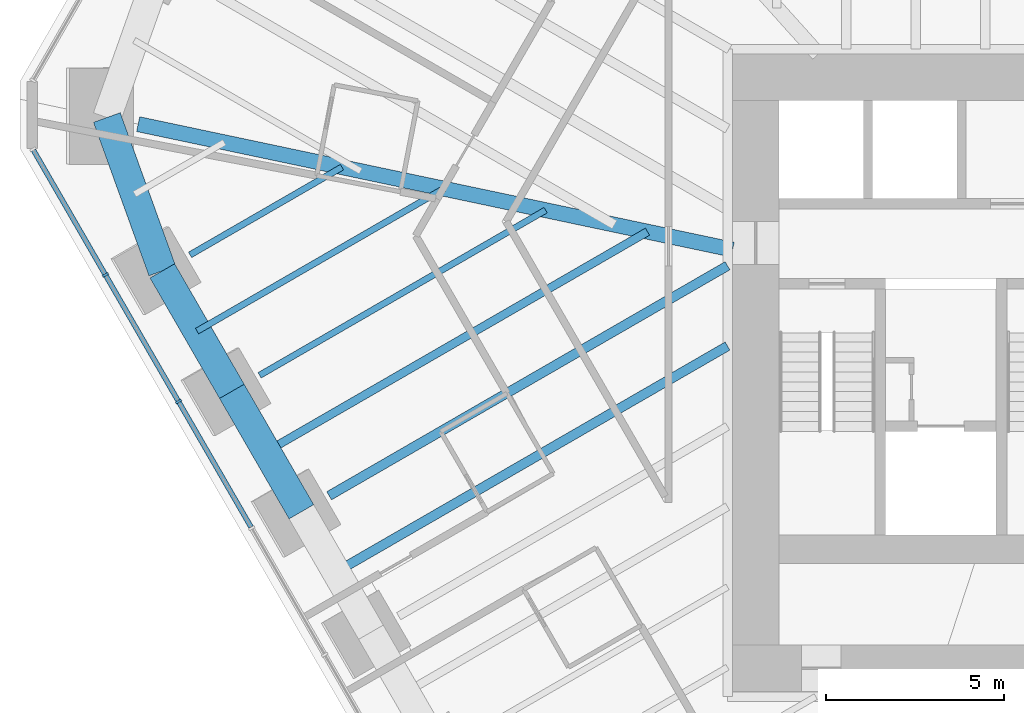
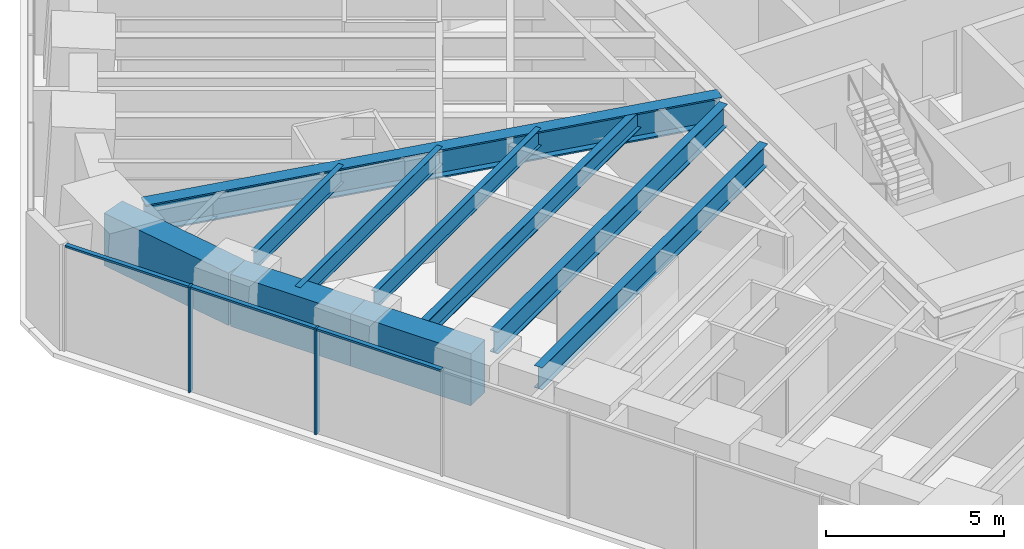
# One storey, part 3 of 17: 10 beams, 5 members, 1 element without a shape of its own.
"""IFC4 building model written with IfcOpenShell, lengths in metres."""

from ifc_helpers import new_model, si_unit, direction, frame, origin, origin_2d, place, context, subcontext, project, spatial, rectangle, i_section, extrude, material, material_profile, profile_set, type_object, element, aggregate, save


model = new_model("IFC4")

# Units and contexts
model_context = context("Model", 3, precision=1e-05, world=origin(), true_north=direction((0.0, 1.0)))
body_context = subcontext(model_context, "Body", "Model", "MODEL_VIEW")
ifc_project = project(units=[si_unit("LENGTHUNIT", "METRE"), si_unit("AREAUNIT", "SQUARE_METRE"), si_unit("VOLUMEUNIT", "CUBIC_METRE"), si_unit("PLANEANGLEUNIT", "RADIAN"), si_unit("MASSUNIT", "GRAM", prefix="KILO")], contexts=[model_context])

# Site, building, storey
site_placement = place(None, origin())
site = spatial("IfcSite", under=ifc_project, at=site_placement, CompositionType="ELEMENT")
building_placement = place(site_placement, origin())
building = spatial("IfcBuilding", under=site, at=building_placement, Name="Sandreach Pilgrim Tower", CompositionType="ELEMENT")
storey_placement = place(building_placement, frame((0.0, 0.0, 150.0)))
storey = spatial("IfcBuildingStorey", under=building, at=storey_placement, Name="L37", CompositionType="ELEMENT", Elevation=150.0)

# Curtain wall, members
ifc_material_1 = material(Name="Aluminium framed curtain wall", Category="aluminium")
curtain_wall_type = type_object("IfcCurtainWallType", Name="Hotel tower curtain wall", PredefinedType="NOTDEFINED", material=ifc_material_1)
curtain_wall_placement = place(storey_placement, origin())
curtain_wall = element("IfcCurtainWall", 1, at=curtain_wall_placement, inside=storey, type_object=curtain_wall_type, Name="CW-2 L37 SW", PredefinedType="NOTDEFINED")
ifc_material_2 = material(Name="Aluminium extrusion", Category="aluminium")
ifc_material_profile_1 = material_profile(ifc_material_2, rectangle(XDim=0.06494140625, YDim=0.179931640625, at=origin_2d()), Name="CW-2M 65X180")
ifc_profile_set_1 = profile_set([ifc_material_profile_1], Name="Aluminium extrusion")
member_type_1 = type_object("IfcMemberType", Name="CW-2 mullion", PredefinedType="MULLION", material=ifc_profile_set_1)
member_1_placement = place(storey_placement, frame((-24.614013671875, -2.35498046875, 0.0), z_axis=(0.0, 0.0, 1.0), x_axis=(-0.5, 0.866025403784, 0.0)))
member_1 = element("IfcMember", 2, at=member_1_placement, type_object=member_type_1, Name="CW-2 mullion 8", PredefinedType="MULLION", context=body_context, shape_type="SweptSolid", body=[
    extrude(rectangle(XDim=0.06494140625, YDim=0.179931640625, at=origin_2d()), origin(), (0.0, 0.0, 1.0), 3.639892578125),
])
member_2_placement = place(storey_placement, frame((-26.66748046875, 1.20166015625, 0.0), z_axis=(0.0, 0.0, 1.0), x_axis=(-0.5, 0.866025403784, 0.0)))
member_2 = element("IfcMember", 3, at=member_2_placement, type_object=member_type_1, Name="CW-2 mullion 9", PredefinedType="MULLION", context=body_context, shape_type="SweptSolid", body=[
    extrude(rectangle(XDim=0.06494140625, YDim=0.179931640625, at=origin_2d()), origin(), (0.0, 0.0, 1.0), 3.639892578125),
])
ifc_material_3 = material(Name="Aluminium extrusion", Category="aluminium")
ifc_material_profile_2 = material_profile(ifc_material_3, rectangle(XDim=0.139892578125, YDim=0.070068359375, at=origin_2d()), Name="CW-2T 140X70")
ifc_profile_set_2 = profile_set([ifc_material_profile_2], Name="Aluminium extrusion")
member_type_2 = type_object("IfcMemberType", Name="CW-2 transom", PredefinedType="USERDEFINED", material=ifc_profile_set_2)
member_3_placement = place(storey_placement, frame((-22.57666015625, -5.883544921875, 3.60498046875), z_axis=(-0.500023973715, 0.866011562111, 0.0), x_axis=(-0.866011562111, -0.500023973715, 0.0)))
member_3 = element("IfcMember", 4, at=member_3_placement, type_object=member_type_2, Name="CW-2 head transom 7", ObjectType="TRANSOM", PredefinedType="USERDEFINED", context=body_context, shape_type="SweptSolid", body=[
    extrude(rectangle(XDim=0.139892578125, YDim=0.070068359375, at=origin_2d()), origin(), (0.0, 0.0, 1.0), 4.041748046875),
])
member_4_placement = place(storey_placement, frame((-24.630126953125, -2.326904296875, 3.60498046875), z_axis=(-0.499997818338, 0.866026663364, 0.0), x_axis=(-0.866026663364, -0.499997818338, 0.0)))
member_4 = element("IfcMember", 5, at=member_4_placement, type_object=member_type_2, Name="CW-2 head transom 8", ObjectType="TRANSOM", PredefinedType="USERDEFINED", context=body_context, shape_type="SweptSolid", body=[
    extrude(rectangle(XDim=0.139892578125, YDim=0.070068359375, at=origin_2d()), origin(), (0.0, 0.0, 1.0), 4.0419921875),
])
member_5_placement = place(storey_placement, frame((-26.68359375, 1.229736328125, 3.60498046875), z_axis=(-0.500015851672, 0.866016251624, 0.0), x_axis=(-0.866016251624, -0.500015851672, 0.0)))
member_5 = element("IfcMember", 6, at=member_5_placement, type_object=member_type_2, Name="CW-2 head transom 9", ObjectType="TRANSOM", PredefinedType="USERDEFINED", context=body_context, shape_type="SweptSolid", body=[
    extrude(rectangle(XDim=0.139892578125, YDim=0.070068359375, at=origin_2d()), origin(), (0.0, 0.0, 1.0), 4.009521484375),
])
aggregate(curtain_wall, [member_1, member_2, member_3, member_4, member_5])

# Beams
ifc_material_4 = material(Name="Steel ASTM A992 Grade 50", Category="steel")
ifc_material_profile_3 = material_profile(ifc_material_4, i_section(OverallWidth=0.424072265625, OverallDepth=0.965087890625, WebThickness=0.028564453125, FlangeThickness=0.051025390625, at=origin_2d()), Name="W36X361")
ifc_profile_set_3 = profile_set([ifc_material_profile_3], Name="Steel ASTM A992 Grade 50")
beam_type_1 = type_object("IfcBeamType", Name="Corner girder W36X361", PredefinedType="BEAM", material=ifc_profile_set_3)
beam_1_placement = place(storey_placement, frame((-25.74755859375, 5.43603515625, 3.157470703125), z_axis=(0.978430011302, -0.206578587914, 0.0), x_axis=(0.206578587914, 0.978430011302, 0.0)))
element("IfcBeam", 7, at=beam_1_placement, inside=storey, type_object=beam_type_1, Name="BM L37 CG35", PredefinedType="BEAM", context=body_context, shape_type="SweptSolid", body=[
    extrude(i_section(OverallWidth=0.424072265625, OverallDepth=0.965087890625, WebThickness=0.028564453125, FlangeThickness=0.051025390625, at=origin_2d()), origin(), (0.0, 0.0, 1.0), 17.065673828125),
])
ifc_material_5 = material(Name="Steel ASTM A992 Grade 50", Category="steel")
ifc_material_profile_4 = material_profile(ifc_material_5, i_section(OverallWidth=0.1787109375, OverallDepth=0.60205078125, WebThickness=0.010986328125, FlangeThickness=0.014892578125, at=origin_2d()), Name="W24X62")
ifc_profile_set_4 = profile_set([ifc_material_profile_4], Name="Steel ASTM A992 Grade 50")
beam_type_2 = type_object("IfcBeamType", Name="Floor beam W24X62", PredefinedType="BEAM", material=ifc_profile_set_4)
beam_2_placement = place(storey_placement, frame((-22.337158203125, -1.618896484375, 3.339111328125), z_axis=(0.866025631785, 0.49999960509, 0.0), x_axis=(-0.49999960509, 0.866025631785, 0.0)))
element("IfcBeam", 8, at=beam_2_placement, inside=storey, type_object=beam_type_2, Name="BM L37 F33", PredefinedType="BEAM", context=body_context, shape_type="SweptSolid", body=[
    extrude(i_section(OverallWidth=0.1787109375, OverallDepth=0.60205078125, WebThickness=0.010986328125, FlangeThickness=0.014892578125, at=origin_2d()), origin(), (0.0, 0.0, 1.0), 9.27734375),
])
beam_3_placement = place(storey_placement, frame((-24.29052734375, 1.76416015625, 3.339111328125), z_axis=(0.866011470817, 0.500024131831, 0.0), x_axis=(-0.500024131831, 0.866011470817, 0.0)))
element("IfcBeam", 9, at=beam_3_placement, inside=storey, type_object=beam_type_2, Name="BM L37 F34", PredefinedType="BEAM", context=body_context, shape_type="SweptSolid", body=[
    extrude(i_section(OverallWidth=0.1787109375, OverallDepth=0.60205078125, WebThickness=0.010986328125, FlangeThickness=0.014892578125, at=origin_2d()), origin(), (0.0, 0.0, 1.0), 4.927001953125),
])
beam_4_placement = place(storey_placement, frame((-24.09326171875, -0.37744140625, 3.339111328125), z_axis=(0.866020974757, 0.500007671222, 0.0), x_axis=(-0.500007671222, 0.866020974757, 0.0)))
element("IfcBeam", 10, at=beam_4_placement, inside=storey, type_object=beam_type_2, Name="BM L37 FM33", PredefinedType="BEAM", context=body_context, shape_type="SweptSolid", body=[
    extrude(i_section(OverallWidth=0.1787109375, OverallDepth=0.60205078125, WebThickness=0.010986328125, FlangeThickness=0.014892578125, at=origin_2d()), origin(), (0.0, 0.0, 1.0), 8.002197265625),
])
ifc_material_6 = material(Name="Steel ASTM A992 Grade 50", Category="steel")
ifc_material_profile_5 = material_profile(ifc_material_6, i_section(OverallWidth=0.23046875, OverallDepth=0.6171875, WebThickness=0.01318359375, FlangeThickness=0.022216796875, at=origin_2d()), Name="W24X94")
ifc_profile_set_5 = profile_set([ifc_material_profile_5], Name="Steel ASTM A992 Grade 50")
beam_type_3 = type_object("IfcBeamType", Name="Floor beam W24X94", PredefinedType="BEAM", material=ifc_profile_set_5)
beam_5_placement = place(storey_placement, frame((-22.139892578125, -3.760498046875, 3.331298828125), z_axis=(0.86602826301, 0.499995047643, 0.0), x_axis=(-0.499995047643, 0.86602826301, 0.0)))
element("IfcBeam", 11, at=beam_5_placement, inside=storey, type_object=beam_type_3, Name="BM L37 FM32", PredefinedType="BEAM", context=body_context, shape_type="SweptSolid", body=[
    extrude(i_section(OverallWidth=0.23046875, OverallDepth=0.6171875, WebThickness=0.01318359375, FlangeThickness=0.022216796875, at=origin_2d()), origin(), (0.0, 0.0, 1.0), 12.352783203125),
])
ifc_material_7 = material(Name="Steel ASTM A992 Grade 50", Category="steel")
ifc_material_profile_6 = material_profile(ifc_material_7, i_section(OverallWidth=0.2666015625, OverallDepth=0.761962890625, WebThickness=0.014404296875, FlangeThickness=0.021484375, at=origin_2d()), Name="W30X116")
ifc_profile_set_6 = profile_set([ifc_material_profile_6], Name="Steel ASTM A992 Grade 50")
beam_type_4 = type_object("IfcBeamType", Name="Floor beam W30X116", PredefinedType="BEAM", material=ifc_profile_set_6)
beam_6_placement = place(storey_placement, frame((-20.3837890625, -5.002197265625, 3.259033203125), z_axis=(0.86602071536, 0.500008120501, 0.0), x_axis=(-0.500008120501, 0.86602071536, 0.0)))
element("IfcBeam", 12, at=beam_6_placement, inside=storey, type_object=beam_type_4, Name="BM L37 F32", PredefinedType="BEAM", context=body_context, shape_type="SweptSolid", body=[
    extrude(i_section(OverallWidth=0.2666015625, OverallDepth=0.761962890625, WebThickness=0.014404296875, FlangeThickness=0.021484375, at=origin_2d()), origin(), (0.0, 0.0, 1.0), 12.921630859375),
])
beam_7_placement = place(storey_placement, frame((-20.186767578125, -7.143798828125, 3.259033203125), z_axis=(0.866029611657, 0.49999271168, 0.0), x_axis=(-0.49999271168, 0.866029611657, 0.0)))
element("IfcBeam", 13, at=beam_7_placement, inside=storey, type_object=beam_type_4, Name="BM L37 FM31", PredefinedType="BEAM", context=body_context, shape_type="SweptSolid", body=[
    extrude(i_section(OverallWidth=0.2666015625, OverallDepth=0.761962890625, WebThickness=0.014404296875, FlangeThickness=0.021484375, at=origin_2d()), origin(), (0.0, 0.0, 1.0), 12.694091796875),
])
ifc_material_8 = material(Name="Concrete 10000 psi", Category="concrete")
ifc_material_profile_7 = material_profile(ifc_material_8, rectangle(XDim=0.800048828125, YDim=1.800048828125, at=origin_2d()), Name="RC800X1800")
ifc_profile_set_7 = profile_set([ifc_material_profile_7], Name="Concrete 10000 psi")
beam_type_5 = type_object("IfcBeamType", Name="Spandrel beam RC800X1800", PredefinedType="SPANDREL", material=ifc_profile_set_7)
for number, where, z_axis, x_axis, name in (
    (14, (-21.163330078125, -5.4521484375, 2.739990234375), (-0.500030809598, 0.866007615124, 0.0), (-0.866007615124, -0.500030809598, 0.0), "BM L37 SP32"),
    (15, (-23.11669921875, -2.069091796875, 2.739990234375), (-0.499956876673, 0.866050299617, 0.0), (-0.866050299617, -0.499956876673, 0.0), "BM L37 SP33"),
):
    element("IfcBeam", number, at=place(storey_placement, frame(where, z_axis=z_axis, x_axis=x_axis)), inside=storey, type_object=beam_type_5, Name=name, PredefinedType="SPANDREL", context=body_context, shape_type="SweptSolid", body=[
        extrude(rectangle(XDim=0.800048828125, YDim=1.800048828125, at=origin_2d()), origin(), (0.0, 0.0, 1.0), 3.906494140625),
    ])
beam_8_placement = place(storey_placement, frame((-25.06982421875, 1.314208984375, 2.739990234375), z_axis=(-0.340172179298, 0.940363168372, 0.0), x_axis=(-0.940363168372, -0.340172179298, 0.0)))
element("IfcBeam", 16, at=beam_8_placement, inside=storey, type_object=beam_type_5, Name="BM L37 SP34", PredefinedType="SPANDREL", context=body_context, shape_type="SweptSolid", body=[
    extrude(rectangle(XDim=0.800048828125, YDim=1.800048828125, at=origin_2d()), origin(), (0.0, 0.0, 1.0), 4.5810546875),
])

save(model, "model.ifc")
